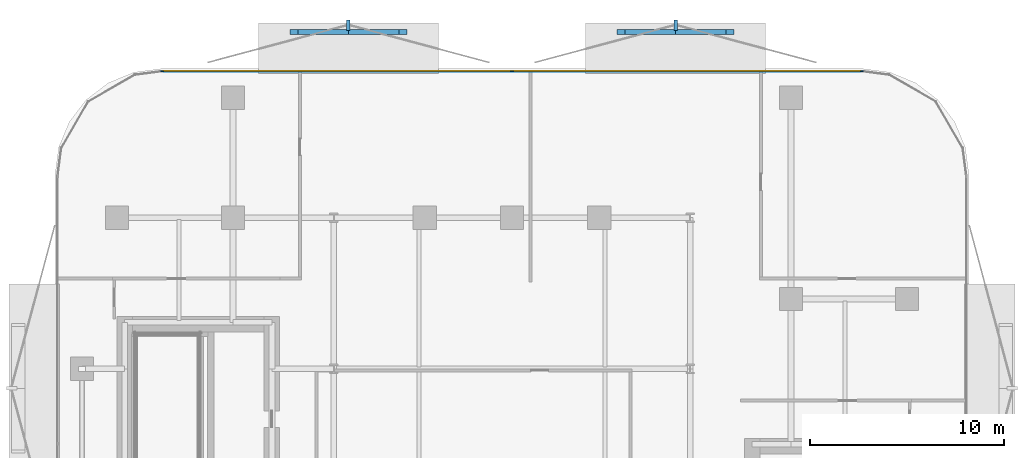
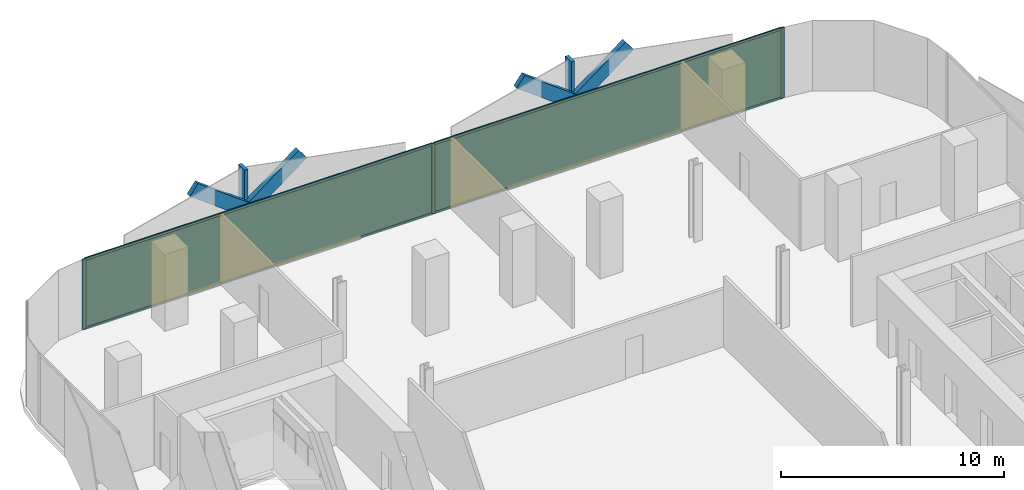
# One storey, part 10 of 15: 13 members, 2 plates, 1 curtain wall.
"""IFC4 building model written with IfcOpenShell, lengths in metres."""

from ifc_helpers import new_model, si_unit, direction, frame, frame_2d, origin, origin_2d, place, context, subcontext, project, spatial, rectangle, extrude, material, layer, layer_set, material_profile, profile_set, type_object, element, aggregate, save


model = new_model("IFC4")

# Units and contexts
model_context = context("Model", 3, precision=1e-05, world=origin(), true_north=direction((0.0, 1.0)))
body_context = subcontext(model_context, "Body", "Model", "MODEL_VIEW")
ifc_project = project(units=[si_unit("LENGTHUNIT", "METRE"), si_unit("AREAUNIT", "SQUARE_METRE"), si_unit("VOLUMEUNIT", "CUBIC_METRE"), si_unit("PLANEANGLEUNIT", "RADIAN"), si_unit("MASSUNIT", "GRAM", prefix="KILO")], contexts=[model_context])

# Member
ifc_material_1 = material(Name="Anodised Bronze Aluminium 6063-T6", Category="aluminium")
ifc_material_profile_1 = material_profile(ifc_material_1, rectangle(XDim=0.260009765625, YDim=0.699951171875, at=origin_2d()))
ifc_profile_set_1 = profile_set([ifc_material_profile_1], Name="Anodised Bronze Aluminium 6063-T6")
member_type_1 = type_object("IfcMemberType", Name="Bronze Diamond Solar-Screen Lattice Rib BDL-700", PredefinedType="MULLION", material=ifc_profile_set_1)
site_placement = place(None, origin())
building_placement = place(site_placement, origin())
storey_placement = place(building_placement, frame((0.0, 0.0, 147.800048828125)))
member_1_placement = place(storey_placement, frame((-11.260498046875, 28.199951171875, -0.130126953125), z_axis=(0.801528089024, 0.0, 0.597957124304), x_axis=(0.0, 1.0, 0.0)))
member_1 = element("IfcMember", 1, at=member_1_placement, type_object=member_type_1, Name="L34 Bronze Diamond Solar Screen Lattice Rib 221A", PredefinedType="MULLION", context=body_context, shape_type="SweptSolid", body=[
    extrude(rectangle(XDim=0.260009765625, YDim=0.699951171875, at=origin_2d()), origin(), (0.0, 0.0, 1.0), 7.024169921875),
])

member_2_placement = place(storey_placement, frame((-5.63037109375, 28.199951171875, -0.130126953125), z_axis=(-0.801528089024, 0.0, 0.597957124304), x_axis=(0.0, -1.0, 0.0)))
member_2 = element("IfcMember", 2, at=member_2_placement, type_object=member_type_1, Name="L34 Bronze Diamond Solar Screen Lattice Rib 221B", PredefinedType="MULLION", context=body_context, shape_type="SweptSolid", body=[
    extrude(rectangle(XDim=0.260009765625, YDim=0.699951171875, at=origin_2d()), origin(), (0.0, 0.0, 1.0), 7.024169921875),
])

member_3_placement = place(storey_placement, frame((5.63037109375, 28.199951171875, -0.130126953125), z_axis=(0.801528089024, 0.0, 0.597957124304), x_axis=(0.0, 1.0, 0.0)))
member_3 = element("IfcMember", 3, at=member_3_placement, type_object=member_type_1, Name="L34 Bronze Diamond Solar Screen Lattice Rib 222A", PredefinedType="MULLION", context=body_context, shape_type="SweptSolid", body=[
    extrude(rectangle(XDim=0.260009765625, YDim=0.699951171875, at=origin_2d()), origin(), (0.0, 0.0, 1.0), 7.024169921875),
])

member_4_placement = place(storey_placement, frame((11.260498046875, 28.199951171875, -0.130126953125), z_axis=(-0.801528089024, 0.0, 0.597957124304), x_axis=(0.0, -1.0, 0.0)))
member_4 = element("IfcMember", 4, at=member_4_placement, type_object=member_type_1, Name="L34 Bronze Diamond Solar Screen Lattice Rib 222B", PredefinedType="MULLION", context=body_context, shape_type="SweptSolid", body=[
    extrude(rectangle(XDim=0.260009765625, YDim=0.699951171875, at=origin_2d()), origin(), (0.0, 0.0, 1.0), 7.024169921875),
])

ifc_material_2 = material(Name="Anodised Bronze Aluminium 6063-T6", Category="aluminium")
ifc_material_profile_2 = material_profile(ifc_material_2, rectangle(XDim=0.179931640625, YDim=0.5400390625, at=origin_2d()))
ifc_profile_set_2 = profile_set([ifc_material_profile_2], Name="Anodised Bronze Aluminium 6063-T6")
member_type_2 = type_object("IfcMemberType", Name="Bronze Solar-Screen Vertical Fold Fin BSF-540", PredefinedType="MULLION", material=ifc_profile_set_2)
member_5_placement = place(storey_placement, frame((-8.4453125, 28.5400390625, -0.130126953125), z_axis=(0.0, 0.0, 1.0), x_axis=(1.0, 0.0, 0.0)))
member_5 = element("IfcMember", 5, at=member_5_placement, type_object=member_type_2, Name="L34 Bronze Solar Screen Vertical Fin 221", PredefinedType="MULLION", context=body_context, shape_type="SweptSolid", body=[
    extrude(rectangle(XDim=0.179931640625, YDim=0.5400390625, at=origin_2d()), origin(), (0.0, 0.0, 1.0), 4.2001953125),
])

member_6_placement = place(storey_placement, frame((8.4453125, 28.5400390625, -0.130126953125), z_axis=(0.0, 0.0, 1.0), x_axis=(1.0, 0.0, 0.0)))
member_6 = element("IfcMember", 6, at=member_6_placement, type_object=member_type_2, Name="L34 Bronze Solar Screen Vertical Fin 222", PredefinedType="MULLION", context=body_context, shape_type="SweptSolid", body=[
    extrude(rectangle(XDim=0.179931640625, YDim=0.5400390625, at=origin_2d()), origin(), (0.0, 0.0, 1.0), 4.2001953125),
])

ifc_material_3 = material(Name="Anodised Bronze Aluminium 6063-T6", Category="aluminium")
ifc_material_profile_3 = material_profile(ifc_material_3, rectangle(XDim=0.06494140625, YDim=0.175048828125, at=origin_2d()))
ifc_profile_set_3 = profile_set([ifc_material_profile_3], Name="Anodised Bronze Aluminium 6063-T6")
member_type_3 = type_object("IfcMemberType", Name="CW-Z2 Mullion 65x175", PredefinedType="MULLION", material=ifc_profile_set_3)
member_7_placement = place(storey_placement, frame((-18.058349609375, 26.159912109375, 0.0), z_axis=(0.0, 0.0, 1.0), x_axis=(0.0, 1.0, 0.0)))
member_7 = element("IfcMember", 7, at=member_7_placement, type_object=member_type_3, Name="CW-Z2 mullion 1", PredefinedType="MULLION", context=body_context, shape_type="SweptSolid", body=[
    extrude(rectangle(XDim=0.06494140625, YDim=0.175048828125, at=origin_2d()), origin(), (0.0, 0.0, 1.0), 3.849853515625),
])

member_8_placement = place(storey_placement, frame((0.0, 26.159912109375, 0.0), z_axis=(0.0, 0.0, 1.0), x_axis=(0.0, 1.0, 0.0)))
member_8 = element("IfcMember", 8, at=member_8_placement, type_object=member_type_3, Name="CW-Z2 mullion 2", PredefinedType="MULLION", context=body_context, shape_type="SweptSolid", body=[
    extrude(rectangle(XDim=0.06494140625, YDim=0.175048828125, at=origin_2d()), origin(), (0.0, 0.0, 1.0), 3.849853515625),
])

member_9_placement = place(storey_placement, frame((18.058349609375, 26.159912109375, 0.0), z_axis=(0.0, 0.0, 1.0), x_axis=(0.0, 1.0, 0.0)))
member_9 = element("IfcMember", 9, at=member_9_placement, type_object=member_type_3, Name="CW-Z2 mullion 3", PredefinedType="MULLION", context=body_context, shape_type="SweptSolid", body=[
    extrude(rectangle(XDim=0.06494140625, YDim=0.175048828125, at=origin_2d()), origin(), (0.0, 0.0, 1.0), 3.849853515625),
])

ifc_material_4 = material(Name="Anodised Bronze Aluminium 6063-T6", Category="aluminium")
ifc_material_profile_4 = material_profile(ifc_material_4, rectangle(XDim=0.06494140625, YDim=0.135009765625, at=origin_2d()))
ifc_profile_set_4 = profile_set([ifc_material_profile_4], Name="Anodised Bronze Aluminium 6063-T6")
member_type_4 = type_object("IfcMemberType", Name="CW-Z2 Transom 65x135", PredefinedType="USERDEFINED", material=ifc_profile_set_4)
member_10_placement = place(storey_placement, frame((-18.02587890625, 26.159912109375, 0.032470703125), z_axis=(1.0, 0.0, 0.0), x_axis=(0.0, 1.0, 0.0)))
member_10 = element("IfcMember", 10, at=member_10_placement, type_object=member_type_4, Name="CW-Z2 transom 1.1", ObjectType="TRANSOM", PredefinedType="USERDEFINED", context=body_context, shape_type="SweptSolid", body=[
    extrude(rectangle(XDim=0.06494140625, YDim=0.135009765625, at=origin_2d()), origin(), (0.0, 0.0, 1.0), 17.993408203125),
])

member_11_placement = place(storey_placement, frame((-18.02587890625, 26.159912109375, 3.8173828125), z_axis=(1.0, 0.0, 0.0), x_axis=(0.0, 1.0, 0.0)))
member_11 = element("IfcMember", 11, at=member_11_placement, type_object=member_type_4, Name="CW-Z2 transom 1.2", ObjectType="TRANSOM", PredefinedType="USERDEFINED", context=body_context, shape_type="SweptSolid", body=[
    extrude(rectangle(XDim=0.06494140625, YDim=0.135009765625, at=origin_2d()), origin(), (0.0, 0.0, 1.0), 17.993408203125),
])

member_12_placement = place(storey_placement, frame((0.032470703125, 26.159912109375, 0.032470703125), z_axis=(1.0, 0.0, 0.0), x_axis=(0.0, 1.0, 0.0)))
member_12 = element("IfcMember", 12, at=member_12_placement, type_object=member_type_4, Name="CW-Z2 transom 2.1", ObjectType="TRANSOM", PredefinedType="USERDEFINED", context=body_context, shape_type="SweptSolid", body=[
    extrude(rectangle(XDim=0.06494140625, YDim=0.135009765625, at=origin_2d()), origin(), (0.0, 0.0, 1.0), 17.993408203125),
])

member_13_placement = place(storey_placement, frame((0.032470703125, 26.159912109375, 3.8173828125), z_axis=(1.0, 0.0, 0.0), x_axis=(0.0, 1.0, 0.0)))
member_13 = element("IfcMember", 13, at=member_13_placement, type_object=member_type_4, Name="CW-Z2 transom 2.2", ObjectType="TRANSOM", PredefinedType="USERDEFINED", context=body_context, shape_type="SweptSolid", body=[
    extrude(rectangle(XDim=0.06494140625, YDim=0.135009765625, at=origin_2d()), origin(), (0.0, 0.0, 1.0), 17.993408203125),
])

# Plate
ifc_material_5 = material(Name="Low-E Solar Control Laminated Glass", Category="glass")
ifc_layer_1 = layer(ifc_material_5, 0.028076171875, Name="Low-E Solar Control Laminated Glass")
ifc_layer_set_1 = layer_set([ifc_layer_1], Name="Low-E Solar Control Laminated Glass")
plate_type = type_object("IfcPlateType", Name="CW-Z2 Low-E Double Glazed Panel 28mm", PredefinedType="CURTAIN_PANEL", material=ifc_layer_set_1)
plate_1_placement = place(storey_placement, frame((-9.029052734375, 26.159912109375, 0.06494140625), z_axis=(0.0, 0.0, 1.0), x_axis=(1.0, 0.0, 0.0)))
plate_1 = element("IfcPlate", 14, at=plate_1_placement, type_object=plate_type, Name="CW-Z2 panel 1.1", PredefinedType="CURTAIN_PANEL", context=body_context, shape_type="SweptSolid", body=[
    extrude(rectangle(XDim=17.993408203125, YDim=0.028076171875, at=origin_2d()), origin(), (0.0, 0.0, 1.0), 3.719970703125),
])

plate_2_placement = place(storey_placement, frame((9.029052734375, 26.159912109375, 0.06494140625), z_axis=(0.0, 0.0, 1.0), x_axis=(1.0, 0.0, 0.0)))
plate_2 = element("IfcPlate", 15, at=plate_2_placement, type_object=plate_type, Name="CW-Z2 panel 2.1", PredefinedType="CURTAIN_PANEL", context=body_context, shape_type="SweptSolid", body=[
    extrude(rectangle(XDim=17.993408203125, YDim=0.028076171875, at=origin_2d()), origin(), (0.0, 0.0, 1.0), 3.719970703125),
])

# Site, building, storey
site = spatial("IfcSite", under=ifc_project, at=site_placement, CompositionType="ELEMENT")
building = spatial("IfcBuilding", under=site, at=building_placement, Name="Khairoan Windgate Tower", CompositionType="ELEMENT")
storey = spatial("IfcBuildingStorey", under=building, at=storey_placement, Name="L34", CompositionType="ELEMENT", Elevation=147.800048828125)

# Curtain wall
ifc_material_6 = material(Name="Anodised Bronze Aluminium 6063-T6", Category="aluminium")
ifc_layer_2 = layer(ifc_material_6, 0.175048828125, Name="Anodised Bronze Aluminium 6063-T6")
ifc_layer_set_2 = layer_set([ifc_layer_2], Name="Anodised Bronze Aluminium 6063-T6")
curtain_wall_type = type_object("IfcCurtainWallType", Name="Mid-Rise Office Unitised Curtain Wall CW-Z2", PredefinedType="NOTDEFINED", material=ifc_layer_set_2)
curtain_wall_placement = place(storey_placement, frame((-18.0908203125, 26.159912109375, 0.0), z_axis=(0.0, 0.0, 1.0), x_axis=(1.0, 0.0, 0.0)))
curtain_wall = element("IfcCurtainWall", 16, at=curtain_wall_placement, inside=storey, type_object=curtain_wall_type, Name="L34 Unitised Curtain Wall 11", PredefinedType="NOTDEFINED", context=body_context, shape_type="SweptSolid", body=[
    extrude(rectangle(XDim=36.181640625, YDim=0.010009765625, at=frame_2d((18.0908203125, 0.0))), origin(), (0.0, 0.0, 1.0), 3.849853515625),
])

aggregate(curtain_wall, [member_7, member_8, member_9, member_10, member_11, plate_1, member_12, member_13, plate_2, member_1, member_2, member_5, member_3, member_4, member_6])

save(model, "model.ifc")
